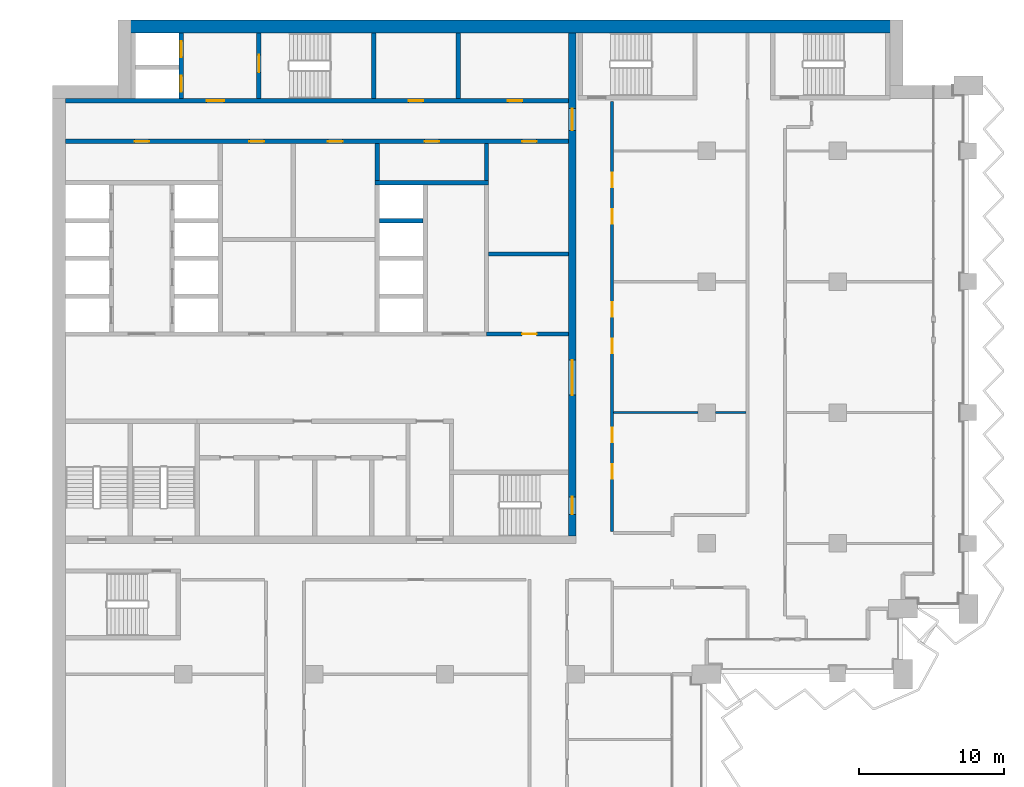
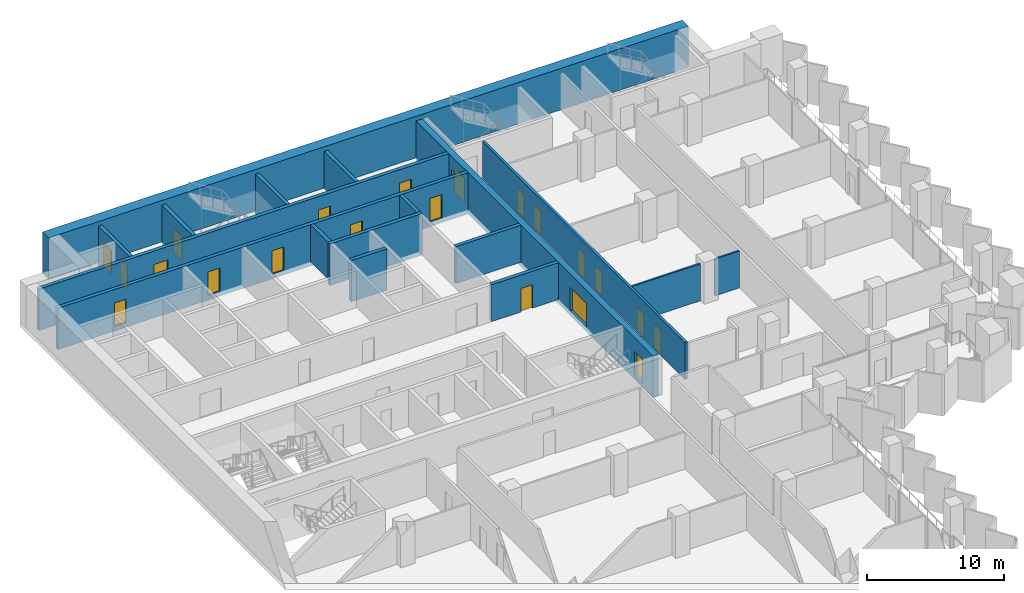
# One storey, part 13 of 22: 21 doors, 17 walls, 21 openings.
"""IFC4 building model written with IfcOpenShell, lengths in metres."""

from ifc_helpers import new_model, si_unit, direction, frame, frame_2d, origin, place, context, subcontext, project, spatial, rectangle, extrude, material, layer, layer_set, type_object, element, fill, save


model = new_model("IFC4")

# Units and contexts
model_context = context("Model", 3, precision=1e-05, world=origin(), true_north=direction((0.0, 1.0)))
body_context = subcontext(model_context, "Body", "Model", "MODEL_VIEW")
ifc_project = project(units=[si_unit("LENGTHUNIT", "METRE"), si_unit("AREAUNIT", "SQUARE_METRE"), si_unit("VOLUMEUNIT", "CUBIC_METRE"), si_unit("PLANEANGLEUNIT", "RADIAN"), si_unit("MASSUNIT", "GRAM", prefix="KILO")], contexts=[model_context])

# Site, building, storey
site_placement = place(None, origin())
site = spatial("IfcSite", under=ifc_project, at=site_placement, CompositionType="ELEMENT")
building_placement = place(site_placement, origin())
building = spatial("IfcBuilding", under=site, at=building_placement, Name="Hunhe Ridgeline Campus", CompositionType="ELEMENT")
storey_placement = place(building_placement, frame((0.0, 0.0, 133.800048828125)))
storey = spatial("IfcBuildingStorey", under=building, at=storey_placement, Name="L33", CompositionType="ELEMENT", Elevation=133.800048828125)

# Wall, opening, door
ifc_material_1 = material(Name="Masonry concrete blockwork", Category="masonry")
ifc_layer_1 = layer(ifc_material_1, 0.300048828125)
ifc_layer_set_1 = layer_set([ifc_layer_1], Name="Core room partition 300 concrete block")
wall_type_1 = type_object("IfcWallType", Name="Core room partition 300 concrete block", PredefinedType="PARTITIONING", material=ifc_layer_set_1)
wall_1_placement = place(storey_placement, frame((29.85009765625, 77.39990234375, 0.0), z_axis=(0.0, 0.0, 1.0), x_axis=(1.0, 0.0, 0.0)))
wall_1 = element("IfcWall", 1, at=wall_1_placement, inside=storey, type_object=wall_type_1, Name="L33 core partition 13", PredefinedType="PARTITIONING", context=body_context, shape_type="SweptSolid", body=[
    extrude(rectangle(XDim=5.64990234375, YDim=0.300048828125, at=frame_2d((2.824951171875, 0.0))), origin(), (0.0, 0.0, 1.0), 3.300048828125),
])
opening_1_placement = place(wall_1_placement, frame((2.449951171875, 0.0, 0.0)))
opening_1 = element("IfcOpeningElement", 2, at=opening_1_placement, cuts=wall_1, Name="Opening CD32", PredefinedType="OPENING", context=body_context, shape_type="SweptSolid", body=[
    extrude(rectangle(XDim=1.0, YDim=2.10009765625, at=frame_2d((0.5, 1.050048828125))), frame((0.0, 0.14990234375, 0.0), z_axis=(0.0, -1.0, 0.0), x_axis=(1.0, 0.0, 0.0)), (0.0, 0.0, 1.0), 0.300048828125),
])
ifc_material_2 = material(Name="Solid core timber door leaf", Category="wood")
door_type_1 = type_object("IfcDoorType", Name="Timber door 1000x2100", OperationType="SINGLE_SWING_LEFT", PredefinedType="DOOR", material=ifc_material_2)
door_1_placement = place(opening_1_placement, origin())
door_1 = element("IfcDoor", 3, at=door_1_placement, inside=storey, type_object=door_type_1, Name="L33 door ES0", OperationType="SINGLE_SWING_LEFT", OverallHeight=2.10009765625, OverallWidth=1.0, PredefinedType="DOOR", context=body_context, shape_type="SweptSolid", body=[
    extrude(rectangle(XDim=1.0, YDim=2.10009765625, at=frame_2d((0.5, 1.050048828125))), frame((0.0, 0.02490234375, 0.0), z_axis=(0.0, -1.0, 0.0), x_axis=(1.0, 0.0, 0.0)), (0.0, 0.0, 1.0), 0.050048828125),
])
fill(opening_1, door_1)

# Walls
wall_2_placement = place(storey_placement, frame((30.0, 82.89990234375, 0.0), z_axis=(0.0, 0.0, 1.0), x_axis=(1.0, 0.0, 0.0)))
element("IfcWall", 4, at=wall_2_placement, inside=storey, type_object=wall_type_1, Name="L33 core partition 20", PredefinedType="PARTITIONING", context=body_context, shape_type="SweptSolid", body=[
    extrude(rectangle(XDim=5.5, YDim=0.300048828125, at=frame_2d((2.75, 0.0))), origin(), (0.0, 0.0, 1.0), 3.300048828125),
])
wall_3_placement = place(storey_placement, frame((22.35009765625, 87.949951171875, 0.0), z_axis=(0.0, 0.0, 1.0), x_axis=(0.0, 1.0, 0.0)))
element("IfcWall", 5, at=wall_3_placement, inside=storey, type_object=wall_type_1, Name="L33 core partition 50", PredefinedType="PARTITIONING", context=body_context, shape_type="SweptSolid", body=[
    extrude(rectangle(XDim=2.550048828125, YDim=0.300048828125, at=frame_2d((1.27490234375, 0.0))), origin(), (0.0, 0.0, 1.0), 3.300048828125),
])
wall_4_placement = place(storey_placement, frame((27.89990234375, 93.60009765625, 0.0), z_axis=(0.0, 0.0, 1.0), x_axis=(0.0, 1.0, 0.0)))
element("IfcWall", 6, at=wall_4_placement, inside=storey, type_object=wall_type_1, Name="L33 core partition 56", PredefinedType="PARTITIONING", context=body_context, shape_type="SweptSolid", body=[
    extrude(rectangle(XDim=4.5, YDim=0.300048828125, at=frame_2d((2.25, 0.0))), origin(), (0.0, 0.0, 1.0), 3.300048828125),
])
wall_5_placement = place(storey_placement, frame((29.85009765625, 87.949951171875, 0.0), z_axis=(0.0, 0.0, 1.0), x_axis=(0.0, 1.0, 0.0)))
element("IfcWall", 7, at=wall_5_placement, inside=storey, type_object=wall_type_1, Name="L33 core partition 58", PredefinedType="PARTITIONING", context=body_context, shape_type="SweptSolid", body=[
    extrude(rectangle(XDim=2.550048828125, YDim=0.300048828125, at=frame_2d((1.27490234375, 0.0))), origin(), (0.0, 0.0, 1.0), 3.300048828125),
])

# Wall, openings, doors
ifc_material_3 = material(Name="Concrete C70", Category="concrete")
ifc_layer_2 = layer(ifc_material_3, 0.5)
ifc_layer_set_2 = layer_set([ifc_layer_2], Name="Core wall 500 reinforced concrete C70")
wall_type_2 = type_object("IfcWallType", Name="Core wall 500 reinforced concrete C70", PredefinedType="SOLIDWALL", material=ifc_layer_set_2)
wall_6_placement = place(storey_placement, frame((35.75, 63.5, -0.400146484375), z_axis=(0.0, 0.0, 1.0), x_axis=(0.0, 1.0, 0.0)))
wall_6 = element("IfcWall", 8, at=wall_6_placement, inside=storey, type_object=wall_type_2, Name="L33 core wall 59", PredefinedType="SOLIDWALL", context=body_context, shape_type="SweptSolid", body=[
    extrude(rectangle(XDim=34.60009765625, YDim=0.5, at=frame_2d((17.300048828125, 0.0))), origin(), (0.0, 0.0, 1.0), 3.7001953125),
])
opening_2_placement = place(wall_6_placement, frame((9.699951171875, 0.0, 0.39990234375)))
opening_2 = element("IfcOpeningElement", 9, at=opening_2_placement, cuts=wall_6, Name="Opening CD4", PredefinedType="OPENING", context=body_context, shape_type="SweptSolid", body=[
    extrude(rectangle(XDim=2.39990234375, YDim=2.10009765625, at=frame_2d((1.199951171875, 1.050048828125))), frame((0.0, 0.25, 0.0), z_axis=(0.0, -1.0, 0.0), x_axis=(1.0, 0.0, 0.0)), (0.0, 0.0, 1.0), 0.5),
])
opening_3_placement = place(wall_6_placement, frame((27.89990234375, 0.0, 0.39990234375)))
opening_3 = element("IfcOpeningElement", 10, at=opening_3_placement, cuts=wall_6, Name="Opening CD5", PredefinedType="OPENING", context=body_context, shape_type="SweptSolid", body=[
    extrude(rectangle(XDim=1.5, YDim=2.10009765625, at=frame_2d((0.75, 1.050048828125))), frame((0.0, 0.25, 0.0), z_axis=(0.0, -1.0, 0.0), x_axis=(1.0, 0.0, 0.0)), (0.0, 0.0, 1.0), 0.5),
])
opening_4_placement = place(wall_6_placement, frame((1.5, 0.0, 0.39990234375)))
opening_4 = element("IfcOpeningElement", 11, at=opening_4_placement, cuts=wall_6, Name="Opening CD15", PredefinedType="OPENING", context=body_context, shape_type="SweptSolid", body=[
    extrude(rectangle(XDim=1.199951171875, YDim=2.10009765625, at=frame_2d((0.60009765625, 1.050048828125))), frame((0.0, 0.25, 0.0), z_axis=(0.0, -1.0, 0.0), x_axis=(1.0, 0.0, 0.0)), (0.0, 0.0, 1.0), 0.5),
])
ifc_material_4 = material(Name="Anodised aluminium and glass", Category="aluminium")
door_type_2 = type_object("IfcDoorType", Name="Glazed double door 2400x2100", OperationType="DOUBLE_DOOR_SINGLE_SWING", PredefinedType="DOOR", material=ifc_material_4)
door_2_placement = place(opening_2_placement, frame((2.39990234375, 0.0, 0.0), z_axis=(0.0, 0.0, 1.0), x_axis=(-1.0, 0.0, 0.0)))
door_2 = element("IfcDoor", 12, at=door_2_placement, inside=storey, type_object=door_type_2, Name="L33 door HALL-FLOOR", OperationType="DOUBLE_DOOR_SINGLE_SWING", OverallHeight=2.10009765625, OverallWidth=2.39990234375, PredefinedType="DOOR", context=body_context, shape_type="SweptSolid", body=[
    extrude(rectangle(XDim=2.39990234375, YDim=2.10009765625, at=frame_2d((1.199951171875, 1.050048828125))), frame((0.0, 0.02490234375, 0.0), z_axis=(0.0, -1.0, 0.0), x_axis=(1.0, 0.0, 0.0)), (0.0, 0.0, 1.0), 0.050048828125),
])
fill(opening_2, door_2)
ifc_material_5 = material(Name="Hollow metal fire door leaf")
door_type_3 = type_object("IfcDoorType", Name="Stair door 1200x2100 FD60", OperationType="SINGLE_SWING_LEFT", PredefinedType="DOOR", material=ifc_material_5)
door_3_placement = place(opening_4_placement, frame((1.199951171875, 0.0, 0.0), z_axis=(0.0, 0.0, 1.0), x_axis=(-1.0, 0.0, 0.0)))
door_3 = element("IfcDoor", 13, at=door_3_placement, inside=storey, type_object=door_type_3, Name="L33 door S2-FLOOR", OperationType="SINGLE_SWING_RIGHT", OverallHeight=2.10009765625, OverallWidth=1.199951171875, PredefinedType="DOOR", context=body_context, shape_type="SweptSolid", body=[
    extrude(rectangle(XDim=1.199951171875, YDim=2.10009765625, at=frame_2d((0.60009765625, 1.050048828125))), frame((0.0, 0.02490234375, 0.0), z_axis=(0.0, -1.0, 0.0), x_axis=(1.0, 0.0, 0.0)), (0.0, 0.0, 1.0), 0.050048828125),
])
fill(opening_4, door_3)
door_type_4 = type_object("IfcDoorType", Name="Timber door 1500x2100", OperationType="SINGLE_SWING_LEFT", PredefinedType="DOOR", material=ifc_material_2)
door_4_placement = place(opening_3_placement, frame((1.5, 0.0, 0.0), z_axis=(0.0, 0.0, 1.0), x_axis=(-1.0, 0.0, 0.0)))
door_4 = element("IfcDoor", 14, at=door_4_placement, inside=storey, type_object=door_type_4, Name="L33 door C1-FLOOR", OperationType="SINGLE_SWING_RIGHT", OverallHeight=2.10009765625, OverallWidth=1.5, PredefinedType="DOOR", context=body_context, shape_type="SweptSolid", body=[
    extrude(rectangle(XDim=1.5, YDim=2.10009765625, at=frame_2d((0.75, 1.050048828125))), frame((0.0, 0.02490234375, 0.0), z_axis=(0.0, -1.0, 0.0), x_axis=(1.0, 0.0, 0.0)), (0.0, 0.0, 1.0), 0.050048828125),
])
fill(opening_3, door_4)

ifc_material_6 = material(Name="Gypsum board partition")
ifc_layer_3 = layer(ifc_material_6, 0.199951171875)
ifc_layer_set_3 = layer_set([ifc_layer_3], Name="Corridor partition 200 gypsum board on steel studs")
wall_type_3 = type_object("IfcWallType", Name="Corridor partition 200 gypsum board on steel studs", PredefinedType="PARTITIONING", material=ifc_layer_set_3)
wall_7_placement = place(storey_placement, frame((38.5, 93.39599609375, 0.0), z_axis=(0.0, 0.0, 1.0), x_axis=(0.0, -1.0, 0.0)))
wall_7 = element("IfcWall", 15, at=wall_7_placement, inside=storey, type_object=wall_type_3, Name="F-L33-wall-076", PredefinedType="PARTITIONING", context=body_context, shape_type="SweptSolid", body=[
    extrude(rectangle(XDim=29.595947265625, YDim=0.199951171875, at=frame_2d((14.7978515625, 0.0))), origin(), (0.0, 0.0, 1.0), 3.300048828125),
])
opening_5_placement = place(wall_7_placement, frame((24.95751953125, 0.0, 0.0)))
opening_5 = element("IfcOpeningElement", 16, at=opening_5_placement, cuts=wall_7, Name="Opening RD1-033", PredefinedType="OPENING", context=body_context, shape_type="SweptSolid", body=[
    extrude(rectangle(XDim=1.0, YDim=2.10009765625, at=frame_2d((0.5, 1.050048828125))), frame((0.0, 0.10009765625, 0.0), z_axis=(0.0, -1.0, 0.0), x_axis=(1.0, 0.0, 0.0)), (0.0, 0.0, 1.0), 0.199951171875),
])
opening_6_placement = place(wall_7_placement, frame((22.45751953125, 0.0, 0.0)))
opening_6 = element("IfcOpeningElement", 17, at=opening_6_placement, cuts=wall_7, Name="Opening RD1-034", PredefinedType="OPENING", context=body_context, shape_type="SweptSolid", body=[
    extrude(rectangle(XDim=1.0, YDim=2.10009765625, at=frame_2d((0.5, 1.050048828125))), frame((0.0, 0.10009765625, 0.0), z_axis=(0.0, -1.0, 0.0), x_axis=(1.0, 0.0, 0.0)), (0.0, 0.0, 1.0), 0.199951171875),
])
opening_7_placement = place(wall_7_placement, frame((16.304443359375, 0.0, 0.0)))
opening_7 = element("IfcOpeningElement", 18, at=opening_7_placement, cuts=wall_7, Name="Opening RD1-036", PredefinedType="OPENING", context=body_context, shape_type="SweptSolid", body=[
    extrude(rectangle(XDim=1.0, YDim=2.10009765625, at=frame_2d((0.5, 1.050048828125))), frame((0.0, 0.10009765625, 0.0), z_axis=(0.0, -1.0, 0.0), x_axis=(1.0, 0.0, 0.0)), (0.0, 0.0, 1.0), 0.199951171875),
])
opening_8_placement = place(wall_7_placement, frame((13.804443359375, 0.0, 0.0)))
opening_8 = element("IfcOpeningElement", 19, at=opening_8_placement, cuts=wall_7, Name="Opening RD1-038", PredefinedType="OPENING", context=body_context, shape_type="SweptSolid", body=[
    extrude(rectangle(XDim=1.0, YDim=2.10009765625, at=frame_2d((0.5, 1.050048828125))), frame((0.0, 0.10009765625, 0.0), z_axis=(0.0, -1.0, 0.0), x_axis=(1.0, 0.0, 0.0)), (0.0, 0.0, 1.0), 0.199951171875),
])
opening_9_placement = place(wall_7_placement, frame((7.400634765625, 0.0, 0.0)))
opening_9 = element("IfcOpeningElement", 20, at=opening_9_placement, cuts=wall_7, Name="Opening RD1-039", PredefinedType="OPENING", context=body_context, shape_type="SweptSolid", body=[
    extrude(rectangle(XDim=1.0, YDim=2.10009765625, at=frame_2d((0.5, 1.050048828125))), frame((0.0, 0.10009765625, 0.0), z_axis=(0.0, -1.0, 0.0), x_axis=(1.0, 0.0, 0.0)), (0.0, 0.0, 1.0), 0.199951171875),
])
opening_10_placement = place(wall_7_placement, frame((4.900634765625, 0.0, 0.0)))
opening_10 = element("IfcOpeningElement", 21, at=opening_10_placement, cuts=wall_7, Name="Opening RD1-041", PredefinedType="OPENING", context=body_context, shape_type="SweptSolid", body=[
    extrude(rectangle(XDim=1.0, YDim=2.10009765625, at=frame_2d((0.5, 1.050048828125))), frame((0.0, 0.10009765625, 0.0), z_axis=(0.0, -1.0, 0.0), x_axis=(1.0, 0.0, 0.0)), (0.0, 0.0, 1.0), 0.199951171875),
])
ifc_material_7 = material(Name="Timber door leaf", Category="wood")
door_type_5 = type_object("IfcDoorType", Name="Single fire door 1000x2100 timber FD60", OperationType="NOTDEFINED", PredefinedType="DOOR", material=ifc_material_7)
door_5_placement = place(opening_5_placement, frame((1.0, 0.0, 0.0), z_axis=(0.0, 0.0, 1.0), x_axis=(-1.0, 0.0, 0.0)))
door_5 = element("IfcDoor", 22, at=door_5_placement, inside=storey, type_object=door_type_5, Name="F-L33-door-033", OperationType="SINGLE_SWING_LEFT", OverallHeight=2.10009765625, OverallWidth=1.0, PredefinedType="DOOR", context=body_context, shape_type="SweptSolid", body=[
    extrude(rectangle(XDim=1.0, YDim=2.10009765625, at=frame_2d((0.5, 1.050048828125))), frame((0.0, 0.02490234375, 0.0), z_axis=(0.0, -1.0, 0.0), x_axis=(1.0, 0.0, 0.0)), (0.0, 0.0, 1.0), 0.050048828125),
])
fill(opening_5, door_5)
door_6_placement = place(opening_6_placement, frame((1.0, 0.0, 0.0), z_axis=(0.0, 0.0, 1.0), x_axis=(-1.0, 0.0, 0.0)))
door_6 = element("IfcDoor", 23, at=door_6_placement, inside=storey, type_object=door_type_5, Name="F-L33-door-034", OperationType="SINGLE_SWING_RIGHT", OverallHeight=2.10009765625, OverallWidth=1.0, PredefinedType="DOOR", context=body_context, shape_type="SweptSolid", body=[
    extrude(rectangle(XDim=1.0, YDim=2.10009765625, at=frame_2d((0.5, 1.050048828125))), frame((0.0, 0.02490234375, 0.0), z_axis=(0.0, -1.0, 0.0), x_axis=(1.0, 0.0, 0.0)), (0.0, 0.0, 1.0), 0.050048828125),
])
fill(opening_6, door_6)
door_7_placement = place(opening_7_placement, frame((1.0, 0.0, 0.0), z_axis=(0.0, 0.0, 1.0), x_axis=(-1.0, 0.0, 0.0)))
door_7 = element("IfcDoor", 24, at=door_7_placement, inside=storey, type_object=door_type_5, Name="F-L33-door-036", OperationType="SINGLE_SWING_RIGHT", OverallHeight=2.10009765625, OverallWidth=1.0, PredefinedType="DOOR", context=body_context, shape_type="SweptSolid", body=[
    extrude(rectangle(XDim=1.0, YDim=2.10009765625, at=frame_2d((0.5, 1.050048828125))), frame((0.0, 0.02490234375, 0.0), z_axis=(0.0, -1.0, 0.0), x_axis=(1.0, 0.0, 0.0)), (0.0, 0.0, 1.0), 0.050048828125),
])
fill(opening_7, door_7)
door_8_placement = place(opening_8_placement, frame((1.0, 0.0, 0.0), z_axis=(0.0, 0.0, 1.0), x_axis=(-1.0, 0.0, 0.0)))
door_8 = element("IfcDoor", 25, at=door_8_placement, inside=storey, type_object=door_type_5, Name="F-L33-door-038", OperationType="SINGLE_SWING_RIGHT", OverallHeight=2.10009765625, OverallWidth=1.0, PredefinedType="DOOR", context=body_context, shape_type="SweptSolid", body=[
    extrude(rectangle(XDim=1.0, YDim=2.10009765625, at=frame_2d((0.5, 1.050048828125))), frame((0.0, 0.02490234375, 0.0), z_axis=(0.0, -1.0, 0.0), x_axis=(1.0, 0.0, 0.0)), (0.0, 0.0, 1.0), 0.050048828125),
])
fill(opening_8, door_8)
door_9_placement = place(opening_9_placement, frame((1.0, 0.0, 0.0), z_axis=(0.0, 0.0, 1.0), x_axis=(-1.0, 0.0, 0.0)))
door_9 = element("IfcDoor", 26, at=door_9_placement, inside=storey, type_object=door_type_5, Name="F-L33-door-039", OperationType="SINGLE_SWING_RIGHT", OverallHeight=2.10009765625, OverallWidth=1.0, PredefinedType="DOOR", context=body_context, shape_type="SweptSolid", body=[
    extrude(rectangle(XDim=1.0, YDim=2.10009765625, at=frame_2d((0.5, 1.050048828125))), frame((0.0, 0.02490234375, 0.0), z_axis=(0.0, -1.0, 0.0), x_axis=(1.0, 0.0, 0.0)), (0.0, 0.0, 1.0), 0.050048828125),
])
fill(opening_9, door_9)
door_10_placement = place(opening_10_placement, frame((1.0, 0.0, 0.0), z_axis=(0.0, 0.0, 1.0), x_axis=(-1.0, 0.0, 0.0)))
door_10 = element("IfcDoor", 27, at=door_10_placement, inside=storey, type_object=door_type_5, Name="F-L33-door-041", OperationType="SINGLE_SWING_RIGHT", OverallHeight=2.10009765625, OverallWidth=1.0, PredefinedType="DOOR", context=body_context, shape_type="SweptSolid", body=[
    extrude(rectangle(XDim=1.0, YDim=2.10009765625, at=frame_2d((0.5, 1.050048828125))), frame((0.0, 0.02490234375, 0.0), z_axis=(0.0, -1.0, 0.0), x_axis=(1.0, 0.0, 0.0)), (0.0, 0.0, 1.0), 0.050048828125),
])
fill(opening_10, door_10)

ifc_layer_4 = layer(ifc_material_3, 0.300048828125)
ifc_layer_set_4 = layer_set([ifc_layer_4], Name="Lobby wall 300 reinforced concrete C70")
wall_type_4 = type_object("IfcWallType", Name="Lobby wall 300 reinforced concrete C70", PredefinedType="SOLIDWALL", material=ifc_layer_set_4)
wall_8_placement = place(storey_placement, frame((0.89990234375, 90.64990234375, -0.400146484375), z_axis=(0.0, 0.0, 1.0), x_axis=(1.0, 0.0, 0.0)))
wall_8 = element("IfcWall", 28, at=wall_8_placement, inside=storey, type_object=wall_type_4, Name="L33 core wall 27", PredefinedType="SOLIDWALL", context=body_context, shape_type="SweptSolid", body=[
    extrude(rectangle(XDim=34.60009765625, YDim=0.300048828125, at=frame_2d((17.300048828125, 0.0))), origin(), (0.0, 0.0, 1.0), 3.7001953125),
])
opening_11_placement = place(wall_8_placement, frame((4.75, 0.0, 0.39990234375)))
opening_11 = element("IfcOpeningElement", 29, at=opening_11_placement, cuts=wall_8, Name="Opening CD26", PredefinedType="OPENING", context=body_context, shape_type="SweptSolid", body=[
    extrude(rectangle(XDim=1.0, YDim=2.10009765625, at=frame_2d((0.5, 1.050048828125))), frame((0.0, 0.14990234375, 0.0), z_axis=(0.0, -1.0, 0.0), x_axis=(1.0, 0.0, 0.0)), (0.0, 0.0, 1.0), 0.300048828125),
])
opening_12_placement = place(wall_8_placement, frame((24.699951171875, 0.0, 0.39990234375)))
opening_12 = element("IfcOpeningElement", 30, at=opening_12_placement, cuts=wall_8, Name="Opening CD27", PredefinedType="OPENING", context=body_context, shape_type="SweptSolid", body=[
    extrude(rectangle(XDim=1.0, YDim=2.10009765625, at=frame_2d((0.5, 1.050048828125))), frame((0.0, 0.14990234375, 0.0), z_axis=(0.0, -1.0, 0.0), x_axis=(1.0, 0.0, 0.0)), (0.0, 0.0, 1.0), 0.300048828125),
])
opening_13_placement = place(wall_8_placement, frame((12.64990234375, 0.0, 0.39990234375)))
opening_13 = element("IfcOpeningElement", 31, at=opening_13_placement, cuts=wall_8, Name="Opening CD29", PredefinedType="OPENING", context=body_context, shape_type="SweptSolid", body=[
    extrude(rectangle(XDim=1.0, YDim=2.10009765625, at=frame_2d((0.5, 1.050048828125))), frame((0.0, 0.14990234375, 0.0), z_axis=(0.0, -1.0, 0.0), x_axis=(1.0, 0.0, 0.0)), (0.0, 0.0, 1.0), 0.300048828125),
])
opening_14_placement = place(wall_8_placement, frame((18.050048828125, 0.0, 0.39990234375)))
opening_14 = element("IfcOpeningElement", 32, at=opening_14_placement, cuts=wall_8, Name="Opening CD31", PredefinedType="OPENING", context=body_context, shape_type="SweptSolid", body=[
    extrude(rectangle(XDim=1.0, YDim=2.10009765625, at=frame_2d((0.5, 1.050048828125))), frame((0.0, 0.14990234375, 0.0), z_axis=(0.0, -1.0, 0.0), x_axis=(1.0, 0.0, 0.0)), (0.0, 0.0, 1.0), 0.300048828125),
])
opening_15_placement = place(wall_8_placement, frame((31.39990234375, 0.0, 0.39990234375)))
opening_15 = element("IfcOpeningElement", 33, at=opening_15_placement, cuts=wall_8, Name="Opening CD33", PredefinedType="OPENING", context=body_context, shape_type="SweptSolid", body=[
    extrude(rectangle(XDim=1.0, YDim=2.10009765625, at=frame_2d((0.5, 1.050048828125))), frame((0.0, 0.14990234375, 0.0), z_axis=(0.0, -1.0, 0.0), x_axis=(1.0, 0.0, 0.0)), (0.0, 0.0, 1.0), 0.300048828125),
])
door_11_placement = place(opening_11_placement, frame((1.0, 0.0, 0.0), z_axis=(0.0, 0.0, 1.0), x_axis=(-1.0, 0.0, 0.0)))
door_11 = element("IfcDoor", 34, at=door_11_placement, inside=storey, type_object=door_type_1, Name="L33 door NR-0", OperationType="SINGLE_SWING_LEFT", OverallHeight=2.10009765625, OverallWidth=1.0, PredefinedType="DOOR", context=body_context, shape_type="SweptSolid", body=[
    extrude(rectangle(XDim=1.0, YDim=2.10009765625, at=frame_2d((0.5, 1.050048828125))), frame((0.0, 0.02490234375, 0.0), z_axis=(0.0, -1.0, 0.0), x_axis=(1.0, 0.0, 0.0)), (0.0, 0.0, 1.0), 0.050048828125),
])
fill(opening_11, door_11)
door_12_placement = place(opening_12_placement, frame((1.0, 0.0, 0.0), z_axis=(0.0, 0.0, 1.0), x_axis=(-1.0, 0.0, 0.0)))
door_12 = element("IfcDoor", 35, at=door_12_placement, inside=storey, type_object=door_type_1, Name="L33 door NR-1", OperationType="SINGLE_SWING_RIGHT", OverallHeight=2.10009765625, OverallWidth=1.0, PredefinedType="DOOR", context=body_context, shape_type="SweptSolid", body=[
    extrude(rectangle(XDim=1.0, YDim=2.10009765625, at=frame_2d((0.5, 1.050048828125))), frame((0.0, 0.02490234375, 0.0), z_axis=(0.0, -1.0, 0.0), x_axis=(1.0, 0.0, 0.0)), (0.0, 0.0, 1.0), 0.050048828125),
])
fill(opening_12, door_12)
door_13_placement = place(opening_13_placement, frame((1.0, 0.0, 0.0), z_axis=(0.0, 0.0, 1.0), x_axis=(-1.0, 0.0, 0.0)))
door_13 = element("IfcDoor", 36, at=door_13_placement, inside=storey, type_object=door_type_1, Name="L33 door VD-HR1", OperationType="SINGLE_SWING_RIGHT", OverallHeight=2.10009765625, OverallWidth=1.0, PredefinedType="DOOR", context=body_context, shape_type="SweptSolid", body=[
    extrude(rectangle(XDim=1.0, YDim=2.10009765625, at=frame_2d((0.5, 1.050048828125))), frame((0.0, 0.02490234375, 0.0), z_axis=(0.0, -1.0, 0.0), x_axis=(1.0, 0.0, 0.0)), (0.0, 0.0, 1.0), 0.050048828125),
])
fill(opening_13, door_13)
door_14_placement = place(opening_14_placement, frame((1.0, 0.0, 0.0), z_axis=(0.0, 0.0, 1.0), x_axis=(-1.0, 0.0, 0.0)))
door_14 = element("IfcDoor", 37, at=door_14_placement, inside=storey, type_object=door_type_1, Name="L33 door VD-HR3", OperationType="SINGLE_SWING_RIGHT", OverallHeight=2.10009765625, OverallWidth=1.0, PredefinedType="DOOR", context=body_context, shape_type="SweptSolid", body=[
    extrude(rectangle(XDim=1.0, YDim=2.10009765625, at=frame_2d((0.5, 1.050048828125))), frame((0.0, 0.02490234375, 0.0), z_axis=(0.0, -1.0, 0.0), x_axis=(1.0, 0.0, 0.0)), (0.0, 0.0, 1.0), 0.050048828125),
])
fill(opening_14, door_14)
door_15_placement = place(opening_15_placement, frame((1.0, 0.0, 0.0), z_axis=(0.0, 0.0, 1.0), x_axis=(-1.0, 0.0, 0.0)))
door_15 = element("IfcDoor", 38, at=door_15_placement, inside=storey, type_object=door_type_1, Name="L33 door ES1", OperationType="SINGLE_SWING_LEFT", OverallHeight=2.10009765625, OverallWidth=1.0, PredefinedType="DOOR", context=body_context, shape_type="SweptSolid", body=[
    extrude(rectangle(XDim=1.0, YDim=2.10009765625, at=frame_2d((0.5, 1.050048828125))), frame((0.0, 0.02490234375, 0.0), z_axis=(0.0, -1.0, 0.0), x_axis=(1.0, 0.0, 0.0)), (0.0, 0.0, 1.0), 0.050048828125),
])
fill(opening_15, door_15)

# Walls
ifc_layer_5 = layer(ifc_material_6, 0.14990234375)
ifc_layer_set_5 = layer_set([ifc_layer_5], Name="Room partition 150 gypsum board on steel studs")
wall_type_5 = type_object("IfcWallType", Name="Room partition 150 gypsum board on steel studs", PredefinedType="PARTITIONING", material=ifc_layer_set_5)
wall_9_placement = place(storey_placement, frame((38.60009765625, 72.0, 0.0), z_axis=(0.0, 0.0, 1.0), x_axis=(1.0, 0.0, 0.0)))
element("IfcWall", 39, at=wall_9_placement, inside=storey, type_object=wall_type_5, Name="F-L33-wall-046", PredefinedType="PARTITIONING", context=body_context, shape_type="SweptSolid", body=[
    extrude(rectangle(XDim=5.7998046875, YDim=0.14990234375, at=frame_2d((2.89990234375, 0.0))), origin(), (0.0, 0.0, 1.0), 3.300048828125),
])
wall_10_placement = place(storey_placement, frame((45.60009765625, 72.0, 0.0), z_axis=(0.0, 0.0, 1.0), x_axis=(1.0, 0.0, 0.0)))
element("IfcWall", 40, at=wall_10_placement, inside=storey, type_object=wall_type_5, Name="F-L33-wall-047", PredefinedType="PARTITIONING", context=body_context, shape_type="SweptSolid", body=[
    extrude(rectangle(XDim=2.099853515625, YDim=0.14990234375, at=frame_2d((1.0498046875, 0.0))), origin(), (0.0, 0.0, 1.0), 3.300048828125),
])
ifc_layer_6 = layer(ifc_material_3, 0.300048828125)
ifc_layer_set_6 = layer_set([ifc_layer_6], Name="Shaft wall 300 reinforced concrete C70")
wall_type_6 = type_object("IfcWallType", Name="Shaft wall 300 reinforced concrete C70", PredefinedType="SOLIDWALL", material=ifc_layer_set_6)
wall_11_placement = place(storey_placement, frame((22.5, 85.199951171875, -0.400146484375), z_axis=(0.0, 0.0, 1.0), x_axis=(1.0, 0.0, 0.0)))
element("IfcWall", 41, at=wall_11_placement, inside=storey, type_object=wall_type_6, Name="L33 core wall 24", PredefinedType="SOLIDWALL", context=body_context, shape_type="SweptSolid", body=[
    extrude(rectangle(XDim=3.0, YDim=0.300048828125, at=frame_2d((1.5, 0.0))), origin(), (0.0, 0.0, 1.0), 3.7001953125),
])
wall_12_placement = place(storey_placement, frame((22.199951171875, 87.800048828125, -0.400146484375), z_axis=(0.0, 0.0, 1.0), x_axis=(1.0, 0.0, 0.0)))
element("IfcWall", 42, at=wall_12_placement, inside=storey, type_object=wall_type_6, Name="L33 core wall 26", PredefinedType="SOLIDWALL", context=body_context, shape_type="SweptSolid", body=[
    extrude(rectangle(XDim=7.800048828125, YDim=0.300048828125, at=frame_2d((3.89990234375, 0.0))), origin(), (0.0, 0.0, 1.0), 3.7001953125),
])

# Wall, openings, doors
wall_13_placement = place(storey_placement, frame((0.89990234375, 93.449951171875, -0.400146484375), z_axis=(0.0, 0.0, 1.0), x_axis=(1.0, 0.0, 0.0)))
wall_13 = element("IfcWall", 43, at=wall_13_placement, inside=storey, type_object=wall_type_6, Name="L33 core wall 28", PredefinedType="SOLIDWALL", context=body_context, shape_type="SweptSolid", body=[
    extrude(rectangle(XDim=34.60009765625, YDim=0.300048828125, at=frame_2d((17.300048828125, 0.0))), origin(), (0.0, 0.0, 1.0), 3.7001953125),
])
opening_16_placement = place(wall_13_placement, frame((9.699951171875, 0.0, 0.39990234375)))
opening_16 = element("IfcOpeningElement", 44, at=opening_16_placement, cuts=wall_13, Name="Opening CD3", PredefinedType="OPENING", context=body_context, shape_type="SweptSolid", body=[
    extrude(rectangle(XDim=1.199951171875, YDim=2.10009765625, at=frame_2d((0.60009765625, 1.050048828125))), frame((0.0, 0.14990234375, 0.0), z_axis=(0.0, -1.0, 0.0), x_axis=(1.0, 0.0, 0.0)), (0.0, 0.0, 1.0), 0.300048828125),
])
opening_17_placement = place(wall_13_placement, frame((23.60009765625, 0.0, 0.39990234375)))
opening_17 = element("IfcOpeningElement", 45, at=opening_17_placement, cuts=wall_13, Name="Opening CD34", PredefinedType="OPENING", context=body_context, shape_type="SweptSolid", body=[
    extrude(rectangle(XDim=1.0, YDim=2.10009765625, at=frame_2d((0.5, 1.050048828125))), frame((0.0, 0.14990234375, 0.0), z_axis=(0.0, -1.0, 0.0), x_axis=(1.0, 0.0, 0.0)), (0.0, 0.0, 1.0), 0.300048828125),
])
opening_18_placement = place(wall_13_placement, frame((30.425048828125, 0.0, 0.39990234375)))
opening_18 = element("IfcOpeningElement", 46, at=opening_18_placement, cuts=wall_13, Name="Opening CD35", PredefinedType="OPENING", context=body_context, shape_type="SweptSolid", body=[
    extrude(rectangle(XDim=1.0, YDim=2.10009765625, at=frame_2d((0.5, 1.050048828125))), frame((0.0, 0.14990234375, 0.0), z_axis=(0.0, -1.0, 0.0), x_axis=(1.0, 0.0, 0.0)), (0.0, 0.0, 1.0), 0.300048828125),
])
door_type_6 = type_object("IfcDoorType", Name="Lobby door 1200x2100 FD60", OperationType="SINGLE_SWING_LEFT", PredefinedType="DOOR", material=ifc_material_5)
door_16_placement = place(opening_16_placement, frame((1.199951171875, 0.0, 0.0), z_axis=(0.0, 0.0, 1.0), x_axis=(-1.0, 0.0, 0.0)))
door_16 = element("IfcDoor", 47, at=door_16_placement, inside=storey, type_object=door_type_6, Name="L33 door FF-C1", OperationType="SINGLE_SWING_LEFT", OverallHeight=2.10009765625, OverallWidth=1.199951171875, PredefinedType="DOOR", context=body_context, shape_type="SweptSolid", body=[
    extrude(rectangle(XDim=1.199951171875, YDim=2.10009765625, at=frame_2d((0.60009765625, 1.050048828125))), frame((0.0, 0.02490234375, 0.0), z_axis=(0.0, -1.0, 0.0), x_axis=(1.0, 0.0, 0.0)), (0.0, 0.0, 1.0), 0.050048828125),
])
fill(opening_16, door_16)
door_17_placement = place(opening_17_placement, origin())
door_17 = element("IfcDoor", 48, at=door_17_placement, inside=storey, type_object=door_type_1, Name="L33 door NB0", OperationType="SINGLE_SWING_LEFT", OverallHeight=2.10009765625, OverallWidth=1.0, PredefinedType="DOOR", context=body_context, shape_type="SweptSolid", body=[
    extrude(rectangle(XDim=1.0, YDim=2.10009765625, at=frame_2d((0.5, 1.050048828125))), frame((0.0, 0.02490234375, 0.0), z_axis=(0.0, -1.0, 0.0), x_axis=(1.0, 0.0, 0.0)), (0.0, 0.0, 1.0), 0.050048828125),
])
fill(opening_17, door_17)
door_18_placement = place(opening_18_placement, origin())
door_18 = element("IfcDoor", 49, at=door_18_placement, inside=storey, type_object=door_type_1, Name="L33 door NB1", OperationType="SINGLE_SWING_RIGHT", OverallHeight=2.10009765625, OverallWidth=1.0, PredefinedType="DOOR", context=body_context, shape_type="SweptSolid", body=[
    extrude(rectangle(XDim=1.0, YDim=2.10009765625, at=frame_2d((0.5, 1.050048828125))), frame((0.0, 0.02490234375, 0.0), z_axis=(0.0, -1.0, 0.0), x_axis=(1.0, 0.0, 0.0)), (0.0, 0.0, 1.0), 0.050048828125),
])
fill(opening_18, door_18)

wall_14_placement = place(storey_placement, frame((8.85009765625, 93.60009765625, -0.400146484375), z_axis=(0.0, 0.0, 1.0), x_axis=(0.0, 1.0, 0.0)))
wall_14 = element("IfcWall", 50, at=wall_14_placement, inside=storey, type_object=wall_type_6, Name="L33 core wall 38", PredefinedType="SOLIDWALL", context=body_context, shape_type="SweptSolid", body=[
    extrude(rectangle(XDim=4.5, YDim=0.300048828125, at=frame_2d((2.25, 0.0))), origin(), (0.0, 0.0, 1.0), 3.7001953125),
])
opening_19_placement = place(wall_14_placement, frame((0.449951171875, 0.0, 0.39990234375)))
opening_19 = element("IfcOpeningElement", 51, at=opening_19_placement, cuts=wall_14, Name="Opening LD-FF1", PredefinedType="OPENING", context=body_context, shape_type="SweptSolid", body=[
    extrude(rectangle(XDim=1.10009765625, YDim=2.10009765625, at=frame_2d((0.550048828125, 1.050048828125))), frame((0.0, 0.14990234375, 0.0), z_axis=(0.0, -1.0, 0.0), x_axis=(1.0, 0.0, 0.0)), (0.0, 0.0, 1.0), 0.300048828125),
])
opening_20_placement = place(wall_14_placement, frame((2.85009765625, 0.0, 0.39990234375)))
opening_20 = element("IfcOpeningElement", 52, at=opening_20_placement, cuts=wall_14, Name="Opening LD-FF2", PredefinedType="OPENING", context=body_context, shape_type="SweptSolid", body=[
    extrude(rectangle(XDim=1.10009765625, YDim=2.10009765625, at=frame_2d((0.550048828125, 1.050048828125))), frame((0.0, 0.14990234375, 0.0), z_axis=(0.0, -1.0, 0.0), x_axis=(1.0, 0.0, 0.0)), (0.0, 0.0, 1.0), 0.300048828125),
])
ifc_material_8 = material(Name="Stainless steel sliding leaves", Category="steel")
door_type_7 = type_object("IfcDoorType", Name="Landing door 1100x2100 FD120", OperationType="SLIDING_TO_LEFT", PredefinedType="DOOR", material=ifc_material_8)
door_19_placement = place(opening_19_placement, origin())
door_19 = element("IfcDoor", 53, at=door_19_placement, inside=storey, type_object=door_type_7, Name="L33 landing door FF1", OperationType="SLIDING_TO_RIGHT", OverallHeight=2.10009765625, OverallWidth=1.10009765625, PredefinedType="DOOR", context=body_context, shape_type="SweptSolid", body=[
    extrude(rectangle(XDim=1.10009765625, YDim=2.10009765625, at=frame_2d((0.550048828125, 1.050048828125))), frame((0.0, 0.02490234375, 0.0), z_axis=(0.0, -1.0, 0.0), x_axis=(1.0, 0.0, 0.0)), (0.0, 0.0, 1.0), 0.050048828125),
])
fill(opening_19, door_19)
door_20_placement = place(opening_20_placement, origin())
door_20 = element("IfcDoor", 54, at=door_20_placement, inside=storey, type_object=door_type_7, Name="L33 landing door FF2", OperationType="SLIDING_TO_LEFT", OverallHeight=2.10009765625, OverallWidth=1.10009765625, PredefinedType="DOOR", context=body_context, shape_type="SweptSolid", body=[
    extrude(rectangle(XDim=1.10009765625, YDim=2.10009765625, at=frame_2d((0.550048828125, 1.050048828125))), frame((0.0, 0.02490234375, 0.0), z_axis=(0.0, -1.0, 0.0), x_axis=(1.0, 0.0, 0.0)), (0.0, 0.0, 1.0), 0.050048828125),
])
fill(opening_20, door_20)

# Wall
ifc_layer_7 = layer(ifc_material_3, 0.89990234375)
ifc_layer_set_7 = layer_set([ifc_layer_7], Name="Spine wall 900 Concrete C70")
wall_type_7 = type_object("IfcWallType", Name="Spine wall 900 Concrete C70", PredefinedType="SHEAR", material=ifc_layer_set_7)
wall_15_placement = place(storey_placement, frame((58.5, 98.550048828125, 0.0), z_axis=(0.0, 0.0, 1.0), x_axis=(-1.0, 0.0, 0.0)))
element("IfcWall", 55, at=wall_15_placement, inside=storey, type_object=wall_type_7, Name="Spine wall SW2-4 L33", PredefinedType="SHEAR", context=body_context, shape_type="SweptSolid", body=[
    extrude(rectangle(XDim=54.0, YDim=0.89990234375, at=frame_2d((27.0, 0.0))), origin(), (0.0, 0.0, 1.0), 3.699951171875),
])

# Wall, opening, door
ifc_layer_8 = layer(ifc_material_3, 0.300048828125)
ifc_layer_set_8 = layer_set([ifc_layer_8], Name="Stair wall 300 reinforced concrete C70")
wall_type_8 = type_object("IfcWallType", Name="Stair wall 300 reinforced concrete C70", PredefinedType="SOLIDWALL", material=ifc_layer_set_8)
wall_16_placement = place(storey_placement, frame((14.199951171875, 93.60009765625, -0.400146484375), z_axis=(0.0, 0.0, 1.0), x_axis=(0.0, 1.0, 0.0)))
wall_16 = element("IfcWall", 56, at=wall_16_placement, inside=storey, type_object=wall_type_8, Name="L33 core wall 43", PredefinedType="SOLIDWALL", context=body_context, shape_type="SweptSolid", body=[
    extrude(rectangle(XDim=4.5, YDim=0.300048828125, at=frame_2d((2.25, 0.0))), origin(), (0.0, 0.0, 1.0), 3.7001953125),
])
opening_21_placement = place(wall_16_placement, frame((1.800048828125, 0.0, 0.39990234375)))
opening_21 = element("IfcOpeningElement", 57, at=opening_21_placement, cuts=wall_16, Name="Opening CD16", PredefinedType="OPENING", context=body_context, shape_type="SweptSolid", body=[
    extrude(rectangle(XDim=1.199951171875, YDim=2.10009765625, at=frame_2d((0.60009765625, 1.050048828125))), frame((0.0, 0.14990234375, 0.0), z_axis=(0.0, -1.0, 0.0), x_axis=(1.0, 0.0, 0.0)), (0.0, 0.0, 1.0), 0.300048828125),
])
door_21_placement = place(opening_21_placement, origin())
door_21 = element("IfcDoor", 58, at=door_21_placement, inside=storey, type_object=door_type_3, Name="L33 door S1-FF", OperationType="SINGLE_SWING_LEFT", OverallHeight=2.10009765625, OverallWidth=1.199951171875, PredefinedType="DOOR", context=body_context, shape_type="SweptSolid", body=[
    extrude(rectangle(XDim=1.199951171875, YDim=2.10009765625, at=frame_2d((0.60009765625, 1.050048828125))), frame((0.0, 0.02490234375, 0.0), z_axis=(0.0, -1.0, 0.0), x_axis=(1.0, 0.0, 0.0)), (0.0, 0.0, 1.0), 0.050048828125),
])
fill(opening_21, door_21)

# Wall
wall_17_placement = place(storey_placement, frame((22.10009765625, 93.60009765625, -0.400146484375), z_axis=(0.0, 0.0, 1.0), x_axis=(0.0, 1.0, 0.0)))
element("IfcWall", 59, at=wall_17_placement, inside=storey, type_object=wall_type_8, Name="L33 core wall 48", PredefinedType="SOLIDWALL", context=body_context, shape_type="SweptSolid", body=[
    extrude(rectangle(XDim=4.5, YDim=0.300048828125, at=frame_2d((2.25, 0.0))), origin(), (0.0, 0.0, 1.0), 3.7001953125),
])

save(model, "model.ifc")
